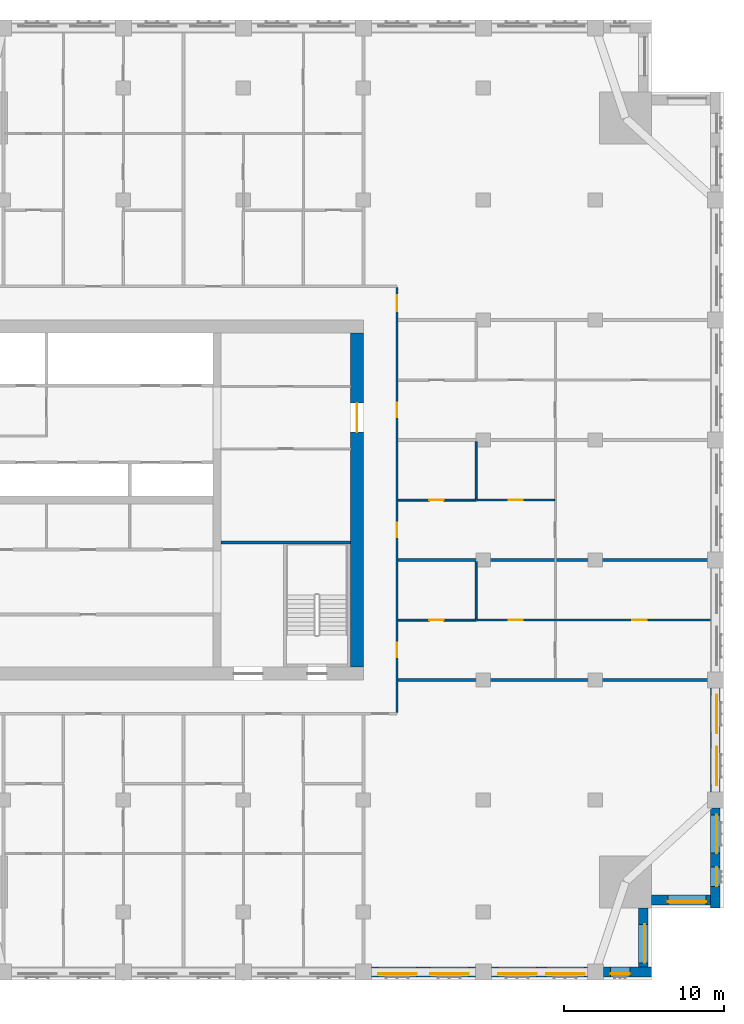
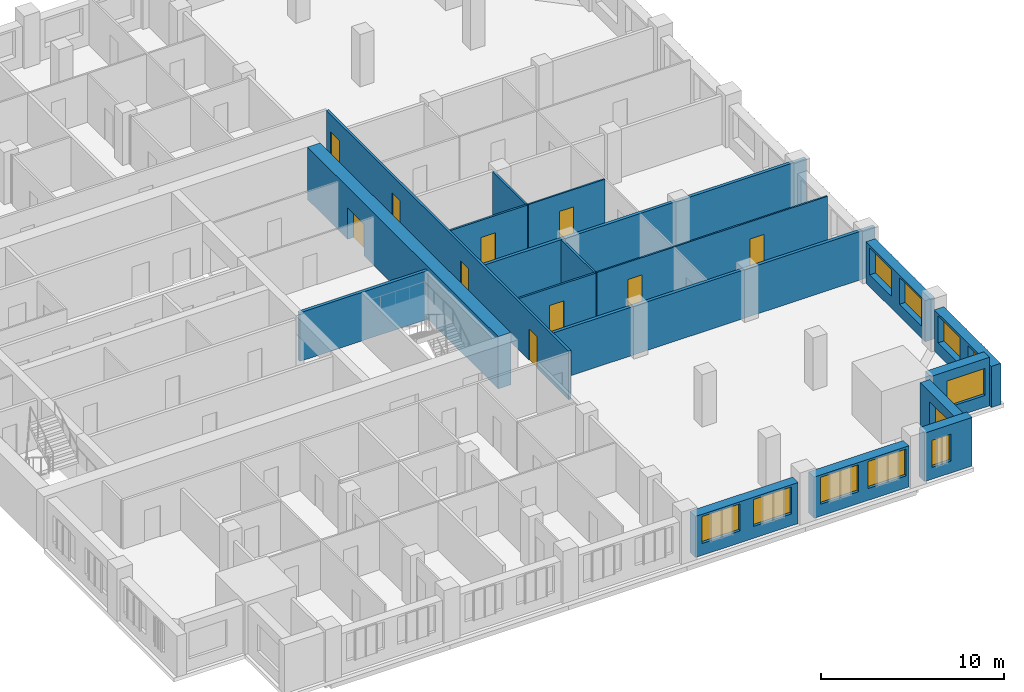
# One storey, part 8 of 14: 18 walls, 11 windows, 10 doors, 21 openings.
"""IFC4 building model written with IfcOpenShell, lengths in metres."""

from ifc_helpers import new_model, si_unit, direction, frame, frame_2d, origin, place, context, subcontext, project, spatial, rectangle, extrude, material, layer, layer_set, type_object, element, fill, save


model = new_model("IFC4")

# Units and contexts
model_context = context("Model", 3, precision=1e-05, world=origin(), true_north=direction((0.0, 1.0)))
body_context = subcontext(model_context, "Body", "Model", "MODEL_VIEW")
ifc_project = project(units=[si_unit("LENGTHUNIT", "METRE"), si_unit("AREAUNIT", "SQUARE_METRE"), si_unit("VOLUMEUNIT", "CUBIC_METRE"), si_unit("PLANEANGLEUNIT", "RADIAN"), si_unit("MASSUNIT", "GRAM", prefix="KILO")], contexts=[model_context])

# Site, building, storey
site_placement = place(None, origin())
site = spatial("IfcSite", under=ifc_project, at=site_placement, CompositionType="ELEMENT")
building_placement = place(site_placement, origin())
building = spatial("IfcBuilding", under=site, at=building_placement, Name="Tamorin Gate", CompositionType="ELEMENT")
storey_placement = place(building_placement, frame((0.0, 0.0, 182.699951171875)))
storey = spatial("IfcBuildingStorey", under=building, at=storey_placement, Name="L44", CompositionType="ELEMENT", Elevation=182.699951171875)

# Wall, openings, windows
ifc_material_1 = material(Name="Precast concrete C40/50", Category="concrete")
ifc_layer_1 = layer(ifc_material_1, 0.60009765625)
ifc_layer_set_1 = layer_set([ifc_layer_1], Name="Precast concrete C40/50")
wall_type_1 = type_object("IfcWallType", Name="Board-marked concrete facade panel 600", PredefinedType="SOLIDWALL", material=ifc_layer_set_1)
wall_1_placement = place(storey_placement, frame((60.5, 41.75, 0.0), z_axis=(0.0, 0.0, 1.0), x_axis=(1.0, 0.0, 0.0)))
wall_1 = element("IfcWall", 1, at=wall_1_placement, inside=storey, type_object=wall_type_1, Name="Facade panel", PredefinedType="SOLIDWALL", context=body_context, shape_type="SweptSolid", body=[
    extrude(rectangle(XDim=6.5, YDim=0.60009765625, at=frame_2d((3.25, 0.0))), origin(), (0.0, 0.0, 1.0), 2.75),
])
opening_1_placement = place(wall_1_placement, frame((0.425048828125, 0.0, 0.800048828125)))
opening_1 = element("IfcOpeningElement", 2, at=opening_1_placement, cuts=wall_1, Name="Opening WN1", PredefinedType="OPENING", context=body_context, shape_type="SweptSolid", body=[
    extrude(rectangle(XDim=2.39990234375, YDim=1.800048828125, at=frame_2d((1.199951171875, 0.89990234375))), frame((0.0, 0.31005859375, 0.0), z_axis=(0.0, -1.0, 0.0), x_axis=(1.0, 0.0, 0.0)), (0.0, 0.0, 1.0), 0.6201171875),
])
opening_2_placement = place(wall_1_placement, frame((3.675048828125, 0.0, 0.800048828125)))
opening_2 = element("IfcOpeningElement", 3, at=opening_2_placement, cuts=wall_1, Name="Opening WN1", PredefinedType="OPENING", context=body_context, shape_type="SweptSolid", body=[
    extrude(rectangle(XDim=2.39990234375, YDim=1.800048828125, at=frame_2d((1.199951171875, 0.89990234375))), frame((0.0, 0.31005859375, 0.0), z_axis=(0.0, -1.0, 0.0), x_axis=(1.0, 0.0, 0.0)), (0.0, 0.0, 1.0), 0.6201171875),
])
ifc_material_2 = material(Name="Clear glass in aluminium frame", Category="aluminium")
window_type_1 = type_object("IfcWindowType", Name="Deep-set window 2400x1800", PartitioningType="SINGLE_PANEL", PredefinedType="WINDOW", material=ifc_material_2)
window_1_placement = place(opening_1_placement, origin())
window_1 = element("IfcWindow", 4, at=window_1_placement, inside=storey, type_object=window_type_1, Name="Deep-set window", OverallHeight=1.800048828125, OverallWidth=2.39990234375, PartitioningType="SINGLE_PANEL", PredefinedType="WINDOW", context=body_context, shape_type="SweptSolid", body=[
    extrude(rectangle(XDim=2.39990234375, YDim=1.800048828125, at=frame_2d((1.199951171875, 0.89990234375))), frame((0.0, -0.070068359375, 0.0), z_axis=(0.0, -1.0, 0.0), x_axis=(1.0, 0.0, 0.0)), (0.0, 0.0, 1.0), 0.06005859375),
])
fill(opening_1, window_1)
window_2_placement = place(opening_2_placement, origin())
window_2 = element("IfcWindow", 5, at=window_2_placement, inside=storey, type_object=window_type_1, Name="Deep-set window", OverallHeight=1.800048828125, OverallWidth=2.39990234375, PartitioningType="SINGLE_PANEL", PredefinedType="WINDOW", context=body_context, shape_type="SweptSolid", body=[
    extrude(rectangle(XDim=2.39990234375, YDim=1.800048828125, at=frame_2d((1.199951171875, 0.89990234375))), frame((0.0, -0.070068359375, 0.0), z_axis=(0.0, -1.0, 0.0), x_axis=(1.0, 0.0, 0.0)), (0.0, 0.0, 1.0), 0.06005859375),
])
fill(opening_2, window_2)

wall_2_placement = place(storey_placement, frame((68.0, 41.75, 0.0), z_axis=(0.0, 0.0, 1.0), x_axis=(1.0, 0.0, 0.0)))
wall_2 = element("IfcWall", 6, at=wall_2_placement, inside=storey, type_object=wall_type_1, Name="Facade panel", PredefinedType="SOLIDWALL", context=body_context, shape_type="SweptSolid", body=[
    extrude(rectangle(XDim=6.0, YDim=0.60009765625, at=frame_2d((3.0, 0.0))), origin(), (0.0, 0.0, 1.0), 2.75),
])
opening_3_placement = place(wall_2_placement, frame((0.425048828125, 0.0, 0.800048828125)))
opening_3 = element("IfcOpeningElement", 7, at=opening_3_placement, cuts=wall_2, Name="Opening WN1", PredefinedType="OPENING", context=body_context, shape_type="SweptSolid", body=[
    extrude(rectangle(XDim=2.39990234375, YDim=1.800048828125, at=frame_2d((1.199951171875, 0.89990234375))), frame((0.0, 0.31005859375, 0.0), z_axis=(0.0, -1.0, 0.0), x_axis=(1.0, 0.0, 0.0)), (0.0, 0.0, 1.0), 0.6201171875),
])
opening_4_placement = place(wall_2_placement, frame((3.425048828125, 0.0, 0.800048828125)))
opening_4 = element("IfcOpeningElement", 8, at=opening_4_placement, cuts=wall_2, Name="Opening WN1", PredefinedType="OPENING", context=body_context, shape_type="SweptSolid", body=[
    extrude(rectangle(XDim=2.39990234375, YDim=1.800048828125, at=frame_2d((1.199951171875, 0.89990234375))), frame((0.0, 0.31005859375, 0.0), z_axis=(0.0, -1.0, 0.0), x_axis=(1.0, 0.0, 0.0)), (0.0, 0.0, 1.0), 0.6201171875),
])
window_3_placement = place(opening_3_placement, origin())
window_3 = element("IfcWindow", 9, at=window_3_placement, inside=storey, type_object=window_type_1, Name="Deep-set window", OverallHeight=1.800048828125, OverallWidth=2.39990234375, PartitioningType="SINGLE_PANEL", PredefinedType="WINDOW", context=body_context, shape_type="SweptSolid", body=[
    extrude(rectangle(XDim=2.39990234375, YDim=1.800048828125, at=frame_2d((1.199951171875, 0.89990234375))), frame((0.0, -0.070068359375, 0.0), z_axis=(0.0, -1.0, 0.0), x_axis=(1.0, 0.0, 0.0)), (0.0, 0.0, 1.0), 0.06005859375),
])
fill(opening_3, window_3)
window_4_placement = place(opening_4_placement, origin())
window_4 = element("IfcWindow", 10, at=window_4_placement, inside=storey, type_object=window_type_1, Name="Deep-set window", OverallHeight=1.800048828125, OverallWidth=2.39990234375, PartitioningType="SINGLE_PANEL", PredefinedType="WINDOW", context=body_context, shape_type="SweptSolid", body=[
    extrude(rectangle(XDim=2.39990234375, YDim=1.800048828125, at=frame_2d((1.199951171875, 0.89990234375))), frame((0.0, -0.070068359375, 0.0), z_axis=(0.0, -1.0, 0.0), x_axis=(1.0, 0.0, 0.0)), (0.0, 0.0, 1.0), 0.06005859375),
])
fill(opening_4, window_4)

# Wall, opening, window
wall_3_placement = place(storey_placement, frame((75.0, 41.75, 0.0), z_axis=(0.0, 0.0, 1.0), x_axis=(1.0, 0.0, 0.0)))
wall_3 = element("IfcWall", 11, at=wall_3_placement, inside=storey, type_object=wall_type_1, Name="Facade panel", PredefinedType="SOLIDWALL", context=body_context, shape_type="SweptSolid", body=[
    extrude(rectangle(XDim=3.0, YDim=0.60009765625, at=frame_2d((1.5, 0.0))), origin(), (0.0, 0.0, 1.0), 3.25),
])
opening_5_placement = place(wall_3_placement, frame((0.449951171875, 0.0, 0.800048828125)))
opening_5 = element("IfcOpeningElement", 12, at=opening_5_placement, cuts=wall_3, Name="Opening WN3", PredefinedType="OPENING", context=body_context, shape_type="SweptSolid", body=[
    extrude(rectangle(XDim=1.199951171875, YDim=1.800048828125, at=frame_2d((0.60009765625, 0.89990234375))), frame((0.0, 0.31005859375, 0.0), z_axis=(0.0, -1.0, 0.0), x_axis=(1.0, 0.0, 0.0)), (0.0, 0.0, 1.0), 0.6201171875),
])
window_type_2 = type_object("IfcWindowType", Name="Deep-set window 1200x1800", PartitioningType="SINGLE_PANEL", PredefinedType="WINDOW", material=ifc_material_2)
window_5_placement = place(opening_5_placement, origin())
window_5 = element("IfcWindow", 13, at=window_5_placement, inside=storey, type_object=window_type_2, Name="Deep-set window", OverallHeight=1.800048828125, OverallWidth=1.199951171875, PartitioningType="SINGLE_PANEL", PredefinedType="WINDOW", context=body_context, shape_type="SweptSolid", body=[
    extrude(rectangle(XDim=1.199951171875, YDim=1.800048828125, at=frame_2d((0.60009765625, 0.89990234375))), frame((0.0, -0.070068359375, 0.0), z_axis=(0.0, -1.0, 0.0), x_axis=(1.0, 0.0, 0.0)), (0.0, 0.0, 1.0), 0.06005859375),
])
fill(opening_5, window_5)

wall_4_placement = place(storey_placement, frame((77.5, 42.050048828125, 0.0), z_axis=(0.0, 0.0, 1.0), x_axis=(0.0, 1.0, 0.0)))
wall_4 = element("IfcWall", 14, at=wall_4_placement, inside=storey, type_object=wall_type_1, Name="Facade panel", PredefinedType="SOLIDWALL", context=body_context, shape_type="SweptSolid", body=[
    extrude(rectangle(XDim=3.699951171875, YDim=0.60009765625, at=frame_2d((1.85009765625, 0.0))), origin(), (0.0, 0.0, 1.0), 3.25),
])
opening_6_placement = place(wall_4_placement, frame((0.27490234375, 0.0, 0.800048828125)))
opening_6 = element("IfcOpeningElement", 15, at=opening_6_placement, cuts=wall_4, Name="Opening WN1", PredefinedType="OPENING", context=body_context, shape_type="SweptSolid", body=[
    extrude(rectangle(XDim=2.39990234375, YDim=1.800048828125, at=frame_2d((1.199951171875, 0.89990234375))), frame((0.0, 0.31005859375, 0.0), z_axis=(0.0, -1.0, 0.0), x_axis=(1.0, 0.0, 0.0)), (0.0, 0.0, 1.0), 0.6201171875),
])
window_6_placement = place(opening_6_placement, origin())
window_6 = element("IfcWindow", 16, at=window_6_placement, inside=storey, type_object=window_type_1, Name="Deep-set window", OverallHeight=1.800048828125, OverallWidth=2.39990234375, PartitioningType="SINGLE_PANEL", PredefinedType="WINDOW", context=body_context, shape_type="SweptSolid", body=[
    extrude(rectangle(XDim=2.39990234375, YDim=1.800048828125, at=frame_2d((1.199951171875, 0.89990234375))), frame((0.0, -0.070068359375, 0.0), z_axis=(0.0, -1.0, 0.0), x_axis=(1.0, 0.0, 0.0)), (0.0, 0.0, 1.0), 0.06005859375),
])
fill(opening_6, window_6)

wall_5_placement = place(storey_placement, frame((78.0, 46.25, 0.0), z_axis=(0.0, 0.0, 1.0), x_axis=(1.0, 0.0, 0.0)))
wall_5 = element("IfcWall", 17, at=wall_5_placement, inside=storey, type_object=wall_type_1, Name="Facade panel", PredefinedType="SOLIDWALL", context=body_context, shape_type="SweptSolid", body=[
    extrude(rectangle(XDim=3.699951171875, YDim=0.60009765625, at=frame_2d((1.85009765625, 0.0))), origin(), (0.0, 0.0, 1.0), 3.25),
])
opening_7_placement = place(wall_5_placement, frame((1.02490234375, 0.0, 0.800048828125)))
opening_7 = element("IfcOpeningElement", 18, at=opening_7_placement, cuts=wall_5, Name="Opening WN1", PredefinedType="OPENING", context=body_context, shape_type="SweptSolid", body=[
    extrude(rectangle(XDim=2.39990234375, YDim=1.800048828125, at=frame_2d((1.199951171875, 0.89990234375))), frame((0.0, 0.31005859375, 0.0), z_axis=(0.0, -1.0, 0.0), x_axis=(1.0, 0.0, 0.0)), (0.0, 0.0, 1.0), 0.6201171875),
])
window_7_placement = place(opening_7_placement, origin())
window_7 = element("IfcWindow", 19, at=window_7_placement, inside=storey, type_object=window_type_1, Name="Deep-set window", OverallHeight=1.800048828125, OverallWidth=2.39990234375, PartitioningType="SINGLE_PANEL", PredefinedType="WINDOW", context=body_context, shape_type="SweptSolid", body=[
    extrude(rectangle(XDim=2.39990234375, YDim=1.800048828125, at=frame_2d((1.199951171875, 0.89990234375))), frame((0.0, -0.070068359375, 0.0), z_axis=(0.0, -1.0, 0.0), x_axis=(1.0, 0.0, 0.0)), (0.0, 0.0, 1.0), 0.06005859375),
])
fill(opening_7, window_7)

# Wall, openings, windows
wall_6_placement = place(storey_placement, frame((82.0, 45.75, 0.0), z_axis=(0.0, 0.0, 1.0), x_axis=(0.0, 1.0, 0.0)))
wall_6 = element("IfcWall", 20, at=wall_6_placement, inside=storey, type_object=wall_type_1, Name="Facade panel", PredefinedType="SOLIDWALL", context=body_context, shape_type="SweptSolid", body=[
    extrude(rectangle(XDim=6.25, YDim=0.60009765625, at=frame_2d((3.125, 0.0))), origin(), (0.0, 0.0, 1.0), 2.75),
])
opening_8_placement = place(wall_6_placement, frame((1.35009765625, 0.0, 0.800048828125)))
opening_8 = element("IfcOpeningElement", 21, at=opening_8_placement, cuts=wall_6, Name="Opening WN3", PredefinedType="OPENING", context=body_context, shape_type="SweptSolid", body=[
    extrude(rectangle(XDim=1.199951171875, YDim=1.800048828125, at=frame_2d((0.60009765625, 0.89990234375))), frame((0.0, 0.31005859375, 0.0), z_axis=(0.0, -1.0, 0.0), x_axis=(1.0, 0.0, 0.0)), (0.0, 0.0, 1.0), 0.6201171875),
])
opening_9_placement = place(wall_6_placement, frame((3.425048828125, 0.0, 0.800048828125)))
opening_9 = element("IfcOpeningElement", 22, at=opening_9_placement, cuts=wall_6, Name="Opening WN1", PredefinedType="OPENING", context=body_context, shape_type="SweptSolid", body=[
    extrude(rectangle(XDim=2.39990234375, YDim=1.800048828125, at=frame_2d((1.199951171875, 0.89990234375))), frame((0.0, 0.31005859375, 0.0), z_axis=(0.0, -1.0, 0.0), x_axis=(1.0, 0.0, 0.0)), (0.0, 0.0, 1.0), 0.6201171875),
])
window_8_placement = place(opening_8_placement, origin())
window_8 = element("IfcWindow", 23, at=window_8_placement, inside=storey, type_object=window_type_2, Name="Deep-set window", OverallHeight=1.800048828125, OverallWidth=1.199951171875, PartitioningType="SINGLE_PANEL", PredefinedType="WINDOW", context=body_context, shape_type="SweptSolid", body=[
    extrude(rectangle(XDim=1.199951171875, YDim=1.800048828125, at=frame_2d((0.60009765625, 0.89990234375))), frame((0.0, -0.070068359375, 0.0), z_axis=(0.0, -1.0, 0.0), x_axis=(1.0, 0.0, 0.0)), (0.0, 0.0, 1.0), 0.06005859375),
])
fill(opening_8, window_8)
window_9_placement = place(opening_9_placement, origin())
window_9 = element("IfcWindow", 24, at=window_9_placement, inside=storey, type_object=window_type_1, Name="Deep-set window", OverallHeight=1.800048828125, OverallWidth=2.39990234375, PartitioningType="SINGLE_PANEL", PredefinedType="WINDOW", context=body_context, shape_type="SweptSolid", body=[
    extrude(rectangle(XDim=2.39990234375, YDim=1.800048828125, at=frame_2d((1.199951171875, 0.89990234375))), frame((0.0, -0.070068359375, 0.0), z_axis=(0.0, -1.0, 0.0), x_axis=(1.0, 0.0, 0.0)), (0.0, 0.0, 1.0), 0.06005859375),
])
fill(opening_9, window_9)

wall_7_placement = place(storey_placement, frame((82.0, 53.0, 0.0), z_axis=(0.0, 0.0, 1.0), x_axis=(0.0, 1.0, 0.0)))
wall_7 = element("IfcWall", 25, at=wall_7_placement, inside=storey, type_object=wall_type_1, Name="Facade panel", PredefinedType="SOLIDWALL", context=body_context, shape_type="SweptSolid", body=[
    extrude(rectangle(XDim=6.5, YDim=0.60009765625, at=frame_2d((3.25, 0.0))), origin(), (0.0, 0.0, 1.0), 2.75),
])
opening_10_placement = place(wall_7_placement, frame((0.425048828125, 0.0, 0.800048828125)))
opening_10 = element("IfcOpeningElement", 26, at=opening_10_placement, cuts=wall_7, Name="Opening WN1", PredefinedType="OPENING", context=body_context, shape_type="SweptSolid", body=[
    extrude(rectangle(XDim=2.39990234375, YDim=1.800048828125, at=frame_2d((1.199951171875, 0.89990234375))), frame((0.0, 0.31005859375, 0.0), z_axis=(0.0, -1.0, 0.0), x_axis=(1.0, 0.0, 0.0)), (0.0, 0.0, 1.0), 0.6201171875),
])
opening_11_placement = place(wall_7_placement, frame((3.675048828125, 0.0, 0.800048828125)))
opening_11 = element("IfcOpeningElement", 27, at=opening_11_placement, cuts=wall_7, Name="Opening WN1", PredefinedType="OPENING", context=body_context, shape_type="SweptSolid", body=[
    extrude(rectangle(XDim=2.39990234375, YDim=1.800048828125, at=frame_2d((1.199951171875, 0.89990234375))), frame((0.0, 0.31005859375, 0.0), z_axis=(0.0, -1.0, 0.0), x_axis=(1.0, 0.0, 0.0)), (0.0, 0.0, 1.0), 0.6201171875),
])
window_10_placement = place(opening_10_placement, origin())
window_10 = element("IfcWindow", 28, at=window_10_placement, inside=storey, type_object=window_type_1, Name="Deep-set window", OverallHeight=1.800048828125, OverallWidth=2.39990234375, PartitioningType="SINGLE_PANEL", PredefinedType="WINDOW", context=body_context, shape_type="SweptSolid", body=[
    extrude(rectangle(XDim=2.39990234375, YDim=1.800048828125, at=frame_2d((1.199951171875, 0.89990234375))), frame((0.0, -0.070068359375, 0.0), z_axis=(0.0, -1.0, 0.0), x_axis=(1.0, 0.0, 0.0)), (0.0, 0.0, 1.0), 0.06005859375),
])
fill(opening_10, window_10)
window_11_placement = place(opening_11_placement, origin())
window_11 = element("IfcWindow", 29, at=window_11_placement, inside=storey, type_object=window_type_1, Name="Deep-set window", OverallHeight=1.800048828125, OverallWidth=2.39990234375, PartitioningType="SINGLE_PANEL", PredefinedType="WINDOW", context=body_context, shape_type="SweptSolid", body=[
    extrude(rectangle(XDim=2.39990234375, YDim=1.800048828125, at=frame_2d((1.199951171875, 0.89990234375))), frame((0.0, -0.070068359375, 0.0), z_axis=(0.0, -1.0, 0.0), x_axis=(1.0, 0.0, 0.0)), (0.0, 0.0, 1.0), 0.06005859375),
])
fill(opening_11, window_11)

# Wall, openings, doors
ifc_material_3 = material(Name="Gypsum board partition")
ifc_layer_2 = layer(ifc_material_3, 0.14990234375)
ifc_layer_set_2 = layer_set([ifc_layer_2], Name="Corridor wall 150")
wall_type_2 = type_object("IfcWallType", Name="Corridor wall 150", PredefinedType="PARTITIONING", material=ifc_layer_set_2)
wall_8_placement = place(storey_placement, frame((62.10009765625, 57.97509765625, 0.0), z_axis=(0.0, 0.0, 1.0), x_axis=(0.0, 1.0, 0.0)))
wall_8 = element("IfcWall", 30, at=wall_8_placement, inside=storey, type_object=wall_type_2, Name="Corridor wall 150", PredefinedType="PARTITIONING", context=body_context, shape_type="SweptSolid", body=[
    extrude(rectangle(XDim=26.5498046875, YDim=0.14990234375, at=frame_2d((13.27490234375, 0.0))), origin(), (0.0, 0.0, 1.0), 3.25),
])
opening_12_placement = place(wall_8_placement, frame((25.074951171875, 0.0, 0.0)))
opening_12 = element("IfcOpeningElement", 31, at=opening_12_placement, cuts=wall_8, Name="Opening DR2035", PredefinedType="OPENING", context=body_context, shape_type="SweptSolid", body=[
    extrude(rectangle(XDim=1.0, YDim=2.10009765625, at=frame_2d((0.5, 1.050048828125))), frame((0.0, 0.0849609375, 0.0), z_axis=(0.0, -1.0, 0.0), x_axis=(1.0, 0.0, 0.0)), (0.0, 0.0, 1.0), 0.169921875),
])
opening_13_placement = place(wall_8_placement, frame((3.449951171875, 0.0, 0.0)))
opening_13 = element("IfcOpeningElement", 32, at=opening_13_placement, cuts=wall_8, Name="Opening DR2036", PredefinedType="OPENING", context=body_context, shape_type="SweptSolid", body=[
    extrude(rectangle(XDim=0.89990234375, YDim=2.10009765625, at=frame_2d((0.449951171875, 1.050048828125))), frame((0.0, 0.0849609375, 0.0), z_axis=(0.0, -1.0, 0.0), x_axis=(1.0, 0.0, 0.0)), (0.0, 0.0, 1.0), 0.169921875),
])
opening_14_placement = place(wall_8_placement, frame((10.949951171875, 0.0, 0.0)))
opening_14 = element("IfcOpeningElement", 33, at=opening_14_placement, cuts=wall_8, Name="Opening DR2041", PredefinedType="OPENING", context=body_context, shape_type="SweptSolid", body=[
    extrude(rectangle(XDim=0.89990234375, YDim=2.10009765625, at=frame_2d((0.449951171875, 1.050048828125))), frame((0.0, 0.0849609375, 0.0), z_axis=(0.0, -1.0, 0.0), x_axis=(1.0, 0.0, 0.0)), (0.0, 0.0, 1.0), 0.169921875),
])
opening_15_placement = place(wall_8_placement, frame((18.449951171875, 0.0, 0.0)))
opening_15 = element("IfcOpeningElement", 34, at=opening_15_placement, cuts=wall_8, Name="Opening DR2045", PredefinedType="OPENING", context=body_context, shape_type="SweptSolid", body=[
    extrude(rectangle(XDim=0.89990234375, YDim=2.10009765625, at=frame_2d((0.449951171875, 1.050048828125))), frame((0.0, 0.0849609375, 0.0), z_axis=(0.0, -1.0, 0.0), x_axis=(1.0, 0.0, 0.0)), (0.0, 0.0, 1.0), 0.169921875),
])
ifc_material_4 = material(Name="Timber door leaf", Category="wood")
door_type_1 = type_object("IfcDoorType", Name="Door 1000 x 2100 FD30S", OperationType="NOTDEFINED", PredefinedType="DOOR", material=ifc_material_4)
door_1_placement = place(opening_12_placement, origin())
door_1 = element("IfcDoor", 35, at=door_1_placement, inside=storey, type_object=door_type_1, Name="Door DR2035", OperationType="SINGLE_SWING_RIGHT", OverallHeight=2.10009765625, OverallWidth=1.0, PredefinedType="DOOR", context=body_context, shape_type="SweptSolid", body=[
    extrude(rectangle(XDim=1.0, YDim=2.10009765625, at=frame_2d((0.5, 1.050048828125))), frame((0.0, 0.02490234375, 0.0), z_axis=(0.0, -1.0, 0.0), x_axis=(1.0, 0.0, 0.0)), (0.0, 0.0, 1.0), 0.050048828125),
])
fill(opening_12, door_1)
door_type_2 = type_object("IfcDoorType", Name="Door 900 x 2100 FD30S", OperationType="NOTDEFINED", PredefinedType="DOOR", material=ifc_material_4)
door_2_placement = place(opening_13_placement, origin())
door_2 = element("IfcDoor", 36, at=door_2_placement, inside=storey, type_object=door_type_2, Name="Door DR2036", OperationType="SINGLE_SWING_RIGHT", OverallHeight=2.10009765625, OverallWidth=0.89990234375, PredefinedType="DOOR", context=body_context, shape_type="SweptSolid", body=[
    extrude(rectangle(XDim=0.89990234375, YDim=2.10009765625, at=frame_2d((0.449951171875, 1.050048828125))), frame((0.0, 0.02490234375, 0.0), z_axis=(0.0, -1.0, 0.0), x_axis=(1.0, 0.0, 0.0)), (0.0, 0.0, 1.0), 0.050048828125),
])
fill(opening_13, door_2)
door_3_placement = place(opening_14_placement, origin())
door_3 = element("IfcDoor", 37, at=door_3_placement, inside=storey, type_object=door_type_2, Name="Door DR2041", OperationType="SINGLE_SWING_RIGHT", OverallHeight=2.10009765625, OverallWidth=0.89990234375, PredefinedType="DOOR", context=body_context, shape_type="SweptSolid", body=[
    extrude(rectangle(XDim=0.89990234375, YDim=2.10009765625, at=frame_2d((0.449951171875, 1.050048828125))), frame((0.0, 0.02490234375, 0.0), z_axis=(0.0, -1.0, 0.0), x_axis=(1.0, 0.0, 0.0)), (0.0, 0.0, 1.0), 0.050048828125),
])
fill(opening_14, door_3)
door_4_placement = place(opening_15_placement, origin())
door_4 = element("IfcDoor", 38, at=door_4_placement, inside=storey, type_object=door_type_2, Name="Door DR2045", OperationType="SINGLE_SWING_RIGHT", OverallHeight=2.10009765625, OverallWidth=0.89990234375, PredefinedType="DOOR", context=body_context, shape_type="SweptSolid", body=[
    extrude(rectangle(XDim=0.89990234375, YDim=2.10009765625, at=frame_2d((0.449951171875, 1.050048828125))), frame((0.0, 0.02490234375, 0.0), z_axis=(0.0, -1.0, 0.0), x_axis=(1.0, 0.0, 0.0)), (0.0, 0.0, 1.0), 0.050048828125),
])
fill(opening_15, door_4)

# Walls
ifc_layer_3 = layer(ifc_material_3, 0.199951171875)
ifc_layer_set_3 = layer_set([ifc_layer_3], Name="Demising wall 200")
wall_type_3 = type_object("IfcWallType", Name="Demising wall 200", PredefinedType="PARTITIONING", material=ifc_layer_set_3)
for number, where, z_axis, x_axis, name in (
    (39, (62.175048828125, 60.0, 0.0), (0.0, 0.0, 1.0), (1.0, 0.0, 0.0), "Demising wall 200"),
    (40, (62.175048828125, 67.5, 0.0), (0.0, 0.0, 1.0), (1.0, 0.0, 0.0), "Demising wall 200"),
):
    element("IfcWall", number, at=place(storey_placement, frame(where, z_axis=z_axis, x_axis=x_axis)), inside=storey, type_object=wall_type_3, Name=name, PredefinedType="PARTITIONING", context=body_context, shape_type="SweptSolid", body=[
        extrude(rectangle(XDim=20.324951171875, YDim=0.199951171875, at=frame_2d((10.16259765625, 0.0))), origin(), (0.0, 0.0, 1.0), 3.25),
    ])

# Wall, opening, door
ifc_material_5 = material(Name="Concrete C60/75", Category="concrete")
ifc_layer_4 = layer(ifc_material_5, 0.800048828125)
ifc_layer_set_4 = layer_set([ifc_layer_4], Name="RC core wall 800 C60/75")
wall_type_4 = type_object("IfcWallType", Name="RC core wall 800 C60/75", PredefinedType="SHEAR", material=ifc_layer_set_4)
wall_9_placement = place(storey_placement, frame((59.60009765625, 60.800048828125, 0.0), z_axis=(0.0, 0.0, 1.0), x_axis=(0.0, 1.0, 0.0)))
wall_9 = element("IfcWall", 41, at=wall_9_placement, inside=storey, type_object=wall_type_4, Name="Core wall L44", PredefinedType="SHEAR", context=body_context, shape_type="SweptSolid", body=[
    extrude(rectangle(XDim=20.89990234375, YDim=0.800048828125, at=frame_2d((10.449951171875, 0.0))), origin(), (0.0, 0.0, 1.0), 3.5),
])
opening_16_placement = place(wall_9_placement, frame((14.699951171875, 0.0, 0.0)))
opening_16 = element("IfcOpeningElement", 42, at=opening_16_placement, cuts=wall_9, Name="Opening DE1", PredefinedType="OPENING", context=body_context, shape_type="SweptSolid", body=[
    extrude(rectangle(XDim=1.800048828125, YDim=2.10009765625, at=frame_2d((0.89990234375, 1.050048828125))), frame((0.0, 0.409912109375, 0.0), z_axis=(0.0, -1.0, 0.0), x_axis=(1.0, 0.0, 0.0)), (0.0, 0.0, 1.0), 0.820068359375),
])
ifc_material_6 = material(Name="Steel fire door", Category="steel")
door_type_3 = type_object("IfcDoorType", Name="Lobby exit double door 1800 x 2100 EI 60", OperationType="DOUBLE_DOOR_SINGLE_SWING", PredefinedType="DOOR", material=ifc_material_6)
door_5_placement = place(opening_16_placement, origin())
door_5 = element("IfcDoor", 43, at=door_5_placement, inside=storey, type_object=door_type_3, Name="Lift lobby B exit door", OperationType="DOUBLE_DOOR_SINGLE_SWING", OverallHeight=2.10009765625, OverallWidth=1.800048828125, PredefinedType="DOOR", context=body_context, shape_type="SweptSolid", body=[
    extrude(rectangle(XDim=1.800048828125, YDim=2.10009765625, at=frame_2d((0.89990234375, 1.050048828125))), frame((0.0, 0.02490234375, 0.0), z_axis=(0.0, -1.0, 0.0), x_axis=(1.0, 0.0, 0.0)), (0.0, 0.0, 1.0), 0.050048828125),
])
fill(opening_16, door_5)

# Wall, openings, doors
ifc_layer_5 = layer(ifc_material_3, 0.10009765625)
ifc_layer_set_5 = layer_set([ifc_layer_5], Name="Room partition 100")
wall_type_5 = type_object("IfcWallType", Name="Room partition 100", PredefinedType="PARTITIONING", material=ifc_layer_set_5)
wall_10_placement = place(storey_placement, frame((67.112548828125, 63.75, 0.0), z_axis=(0.0, 0.0, 1.0), x_axis=(1.0, 0.0, 0.0)))
wall_10 = element("IfcWall", 44, at=wall_10_placement, inside=storey, type_object=wall_type_5, Name="Room partition 100", PredefinedType="PARTITIONING", context=body_context, shape_type="SweptSolid", body=[
    extrude(rectangle(XDim=14.577392578125, YDim=0.10009765625, at=frame_2d((7.28857421875, 0.0))), origin(), (0.0, 0.0, 1.0), 3.25),
])
opening_17_placement = place(wall_10_placement, frame((1.96240234375, 0.0, 0.0)))
opening_17 = element("IfcOpeningElement", 45, at=opening_17_placement, cuts=wall_10, Name="Opening DR2038", PredefinedType="OPENING", context=body_context, shape_type="SweptSolid", body=[
    extrude(rectangle(XDim=0.89990234375, YDim=2.10009765625, at=frame_2d((0.449951171875, 1.050048828125))), frame((0.0, 0.06005859375, 0.0), z_axis=(0.0, -1.0, 0.0), x_axis=(1.0, 0.0, 0.0)), (0.0, 0.0, 1.0), 0.1201171875),
])
opening_18_placement = place(wall_10_placement, frame((9.6875, 0.0, 0.0)))
opening_18 = element("IfcOpeningElement", 46, at=opening_18_placement, cuts=wall_10, Name="Opening DR2040", PredefinedType="OPENING", context=body_context, shape_type="SweptSolid", body=[
    extrude(rectangle(XDim=0.89990234375, YDim=2.10009765625, at=frame_2d((0.449951171875, 1.050048828125))), frame((0.0, 0.06005859375, 0.0), z_axis=(0.0, -1.0, 0.0), x_axis=(1.0, 0.0, 0.0)), (0.0, 0.0, 1.0), 0.1201171875),
])
door_type_4 = type_object("IfcDoorType", Name="Door 900 x 2100", OperationType="NOTDEFINED", PredefinedType="DOOR", material=ifc_material_4)
door_6_placement = place(opening_17_placement, origin())
door_6 = element("IfcDoor", 47, at=door_6_placement, inside=storey, type_object=door_type_4, Name="Door DR2038", OperationType="SINGLE_SWING_LEFT", OverallHeight=2.10009765625, OverallWidth=0.89990234375, PredefinedType="DOOR", context=body_context, shape_type="SweptSolid", body=[
    extrude(rectangle(XDim=0.89990234375, YDim=2.10009765625, at=frame_2d((0.449951171875, 1.050048828125))), frame((0.0, 0.02490234375, 0.0), z_axis=(0.0, -1.0, 0.0), x_axis=(1.0, 0.0, 0.0)), (0.0, 0.0, 1.0), 0.050048828125),
])
fill(opening_17, door_6)
door_7_placement = place(opening_18_placement, origin())
door_7 = element("IfcDoor", 48, at=door_7_placement, inside=storey, type_object=door_type_4, Name="Door DR2040", OperationType="SINGLE_SWING_RIGHT", OverallHeight=2.10009765625, OverallWidth=0.89990234375, PredefinedType="DOOR", context=body_context, shape_type="SweptSolid", body=[
    extrude(rectangle(XDim=0.89990234375, YDim=2.10009765625, at=frame_2d((0.449951171875, 1.050048828125))), frame((0.0, 0.02490234375, 0.0), z_axis=(0.0, -1.0, 0.0), x_axis=(1.0, 0.0, 0.0)), (0.0, 0.0, 1.0), 0.050048828125),
])
fill(opening_18, door_7)

# Wall, opening, door
wall_11_placement = place(storey_placement, frame((67.112548828125, 71.25, 0.0), z_axis=(0.0, 0.0, 1.0), x_axis=(1.0, 0.0, 0.0)))
wall_11 = element("IfcWall", 49, at=wall_11_placement, inside=storey, type_object=wall_type_5, Name="Room partition 100", PredefinedType="PARTITIONING", context=body_context, shape_type="SweptSolid", body=[
    extrude(rectangle(XDim=4.83740234375, YDim=0.10009765625, at=frame_2d((2.418701171875, 0.0))), origin(), (0.0, 0.0, 1.0), 3.25),
])
opening_19_placement = place(wall_11_placement, frame((1.96240234375, 0.0, 0.0)))
opening_19 = element("IfcOpeningElement", 50, at=opening_19_placement, cuts=wall_11, Name="Opening DR2043", PredefinedType="OPENING", context=body_context, shape_type="SweptSolid", body=[
    extrude(rectangle(XDim=0.89990234375, YDim=2.10009765625, at=frame_2d((0.449951171875, 1.050048828125))), frame((0.0, 0.06005859375, 0.0), z_axis=(0.0, -1.0, 0.0), x_axis=(1.0, 0.0, 0.0)), (0.0, 0.0, 1.0), 0.1201171875),
])
door_8_placement = place(opening_19_placement, origin())
door_8 = element("IfcDoor", 51, at=door_8_placement, inside=storey, type_object=door_type_4, Name="Door DR2043", OperationType="SINGLE_SWING_LEFT", OverallHeight=2.10009765625, OverallWidth=0.89990234375, PredefinedType="DOOR", context=body_context, shape_type="SweptSolid", body=[
    extrude(rectangle(XDim=0.89990234375, YDim=2.10009765625, at=frame_2d((0.449951171875, 1.050048828125))), frame((0.0, 0.02490234375, 0.0), z_axis=(0.0, -1.0, 0.0), x_axis=(1.0, 0.0, 0.0)), (0.0, 0.0, 1.0), 0.050048828125),
])
fill(opening_19, door_8)

# Wall
ifc_material_7 = material(Name="Concrete C40/50", Category="concrete")
ifc_layer_6 = layer(ifc_material_7, 0.199951171875)
ifc_layer_set_6 = layer_set([ifc_layer_6], Name="Stair enclosure wall 200 EI 120 C40/50")
wall_type_6 = type_object("IfcWallType", Name="Stair enclosure wall 200 EI 120 C40/50", PredefinedType="SOLIDWALL", material=ifc_layer_set_6)
wall_12_placement = place(storey_placement, frame((51.10009765625, 68.60009765625, 0.0), z_axis=(0.0, 0.0, 1.0), x_axis=(1.0, 0.0, 0.0)))
element("IfcWall", 52, at=wall_12_placement, inside=storey, type_object=wall_type_6, Name="Stair enclosure wall", PredefinedType="SOLIDWALL", context=body_context, shape_type="SweptSolid", body=[
    extrude(rectangle(XDim=8.099853515625, YDim=0.199951171875, at=frame_2d((4.0498046875, 0.0))), origin(), (0.0, 0.0, 1.0), 3.25),
])

# Wall, opening, door
ifc_layer_7 = layer(ifc_material_3, 0.125)
ifc_layer_set_7 = layer_set([ifc_layer_7], Name="Wet wall 125")
wall_type_7 = type_object("IfcWallType", Name="Wet wall 125", PredefinedType="PARTITIONING", material=ifc_layer_set_7)
wall_13_placement = place(storey_placement, frame((62.175048828125, 63.75, 0.0), z_axis=(0.0, 0.0, 1.0), x_axis=(1.0, 0.0, 0.0)))
wall_13 = element("IfcWall", 53, at=wall_13_placement, inside=storey, type_object=wall_type_7, Name="Wet wall 125", PredefinedType="PARTITIONING", context=body_context, shape_type="SweptSolid", body=[
    extrude(rectangle(XDim=4.875, YDim=0.125, at=frame_2d((2.4375, 0.0))), origin(), (0.0, 0.0, 1.0), 3.25),
])
opening_20_placement = place(wall_13_placement, frame((1.949951171875, 0.0, 0.0)))
opening_20 = element("IfcOpeningElement", 54, at=opening_20_placement, cuts=wall_13, Name="Opening DR2039", PredefinedType="OPENING", context=body_context, shape_type="SweptSolid", body=[
    extrude(rectangle(XDim=0.89990234375, YDim=2.10009765625, at=frame_2d((0.449951171875, 1.050048828125))), frame((0.0, 0.072509765625, 0.0), z_axis=(0.0, -1.0, 0.0), x_axis=(1.0, 0.0, 0.0)), (0.0, 0.0, 1.0), 0.14501953125),
])
door_9_placement = place(opening_20_placement, origin())
door_9 = element("IfcDoor", 55, at=door_9_placement, inside=storey, type_object=door_type_4, Name="Door DR2039", OperationType="SINGLE_SWING_RIGHT", OverallHeight=2.10009765625, OverallWidth=0.89990234375, PredefinedType="DOOR", context=body_context, shape_type="SweptSolid", body=[
    extrude(rectangle(XDim=0.89990234375, YDim=2.10009765625, at=frame_2d((0.449951171875, 1.050048828125))), frame((0.0, 0.02490234375, 0.0), z_axis=(0.0, -1.0, 0.0), x_axis=(1.0, 0.0, 0.0)), (0.0, 0.0, 1.0), 0.050048828125),
])
fill(opening_20, door_9)

wall_14_placement = place(storey_placement, frame((62.175048828125, 71.25, 0.0), z_axis=(0.0, 0.0, 1.0), x_axis=(1.0, 0.0, 0.0)))
wall_14 = element("IfcWall", 56, at=wall_14_placement, inside=storey, type_object=wall_type_7, Name="Wet wall 125", PredefinedType="PARTITIONING", context=body_context, shape_type="SweptSolid", body=[
    extrude(rectangle(XDim=4.875, YDim=0.125, at=frame_2d((2.4375, 0.0))), origin(), (0.0, 0.0, 1.0), 3.25),
])
opening_21_placement = place(wall_14_placement, frame((1.949951171875, 0.0, 0.0)))
opening_21 = element("IfcOpeningElement", 57, at=opening_21_placement, cuts=wall_14, Name="Opening DR2044", PredefinedType="OPENING", context=body_context, shape_type="SweptSolid", body=[
    extrude(rectangle(XDim=0.89990234375, YDim=2.10009765625, at=frame_2d((0.449951171875, 1.050048828125))), frame((0.0, 0.072509765625, 0.0), z_axis=(0.0, -1.0, 0.0), x_axis=(1.0, 0.0, 0.0)), (0.0, 0.0, 1.0), 0.14501953125),
])
door_10_placement = place(opening_21_placement, origin())
door_10 = element("IfcDoor", 58, at=door_10_placement, inside=storey, type_object=door_type_4, Name="Door DR2044", OperationType="SINGLE_SWING_RIGHT", OverallHeight=2.10009765625, OverallWidth=0.89990234375, PredefinedType="DOOR", context=body_context, shape_type="SweptSolid", body=[
    extrude(rectangle(XDim=0.89990234375, YDim=2.10009765625, at=frame_2d((0.449951171875, 1.050048828125))), frame((0.0, 0.02490234375, 0.0), z_axis=(0.0, -1.0, 0.0), x_axis=(1.0, 0.0, 0.0)), (0.0, 0.0, 1.0), 0.050048828125),
])
fill(opening_21, door_10)

# Walls
for number, where, z_axis, x_axis, name in (
    (59, (67.050048828125, 63.8125, 0.0), (0.0, 0.0, 1.0), (0.0, 1.0, 0.0), "Wet wall 125"),
    (60, (67.050048828125, 71.3125, 0.0), (0.0, 0.0, 1.0), (0.0, 1.0, 0.0), "Wet wall 125"),
):
    element("IfcWall", number, at=place(storey_placement, frame(where, z_axis=z_axis, x_axis=x_axis)), inside=storey, type_object=wall_type_7, Name=name, PredefinedType="PARTITIONING", context=body_context, shape_type="SweptSolid", body=[
        extrude(rectangle(XDim=3.58740234375, YDim=0.125, at=frame_2d((1.793701171875, 0.0))), origin(), (0.0, 0.0, 1.0), 3.25),
    ])

save(model, "model.ifc")
